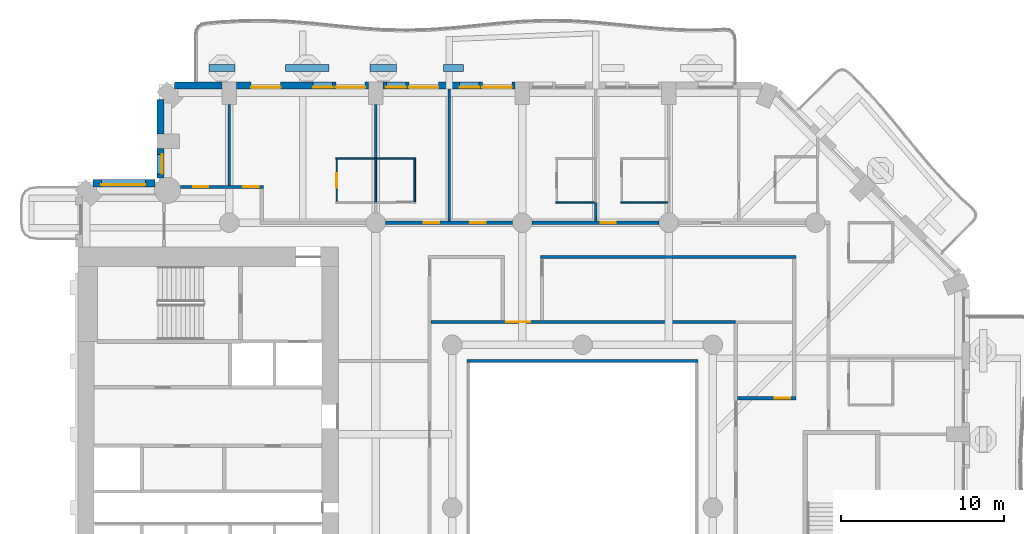
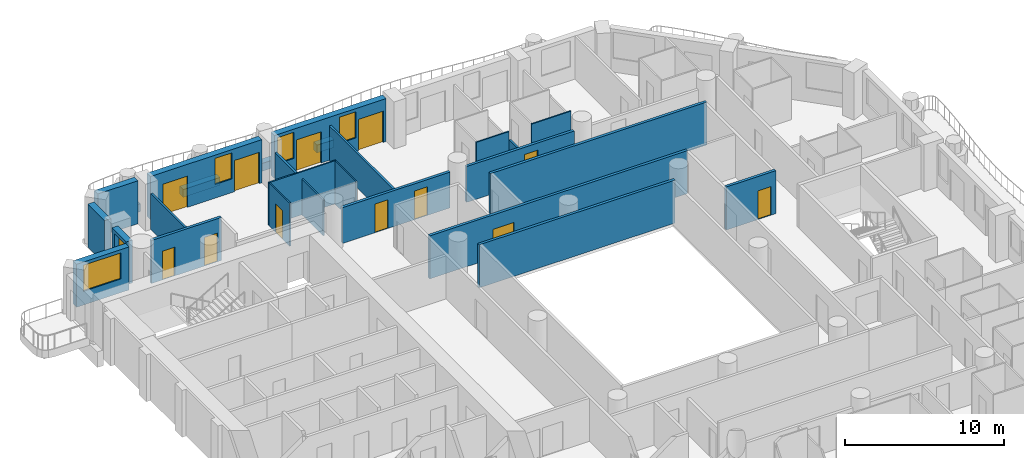
# One storey, part 8 of 20: 27 walls, 12 doors, 5 windows, 17 openings.
"""IFC4 building model written with IfcOpenShell, lengths in metres."""

from ifc_helpers import new_model, si_unit, direction, frame, frame_2d, origin, place, context, subcontext, project, spatial, rectangle, extrude, material, layer, layer_set, type_object, element, fill, save


model = new_model("IFC4")

# Units and contexts
model_context = context("Model", 3, precision=1e-05, world=origin(), true_north=direction((0.0, 1.0)))
body_context = subcontext(model_context, "Body", "Model", "MODEL_VIEW")
ifc_project = project(units=[si_unit("LENGTHUNIT", "METRE"), si_unit("AREAUNIT", "SQUARE_METRE"), si_unit("VOLUMEUNIT", "CUBIC_METRE"), si_unit("PLANEANGLEUNIT", "RADIAN"), si_unit("MASSUNIT", "GRAM", prefix="KILO")], contexts=[model_context])

# Site, building, storey
site_placement = place(None, origin())
site = spatial("IfcSite", under=ifc_project, at=site_placement, CompositionType="ELEMENT")
building_placement = place(site_placement, origin())
building = spatial("IfcBuilding", under=site, at=building_placement, Name="Cypress Arch Tower", CompositionType="ELEMENT")
storey_placement = place(building_placement, frame((0.0, 0.0, 62.699951171875)))
storey = spatial("IfcBuildingStorey", under=building, at=storey_placement, Name="L09", CompositionType="ELEMENT", Elevation=62.699951171875)

# Walls
ifc_material_1 = material(Name="Concrete C40/50, waterproofed", Category="concrete")
ifc_layer_1 = layer(ifc_material_1, 0.449951171875)
ifc_layer_set_1 = layer_set([ifc_layer_1], Name="Balcony planter wall PW450")
wall_type_1 = type_object("IfcWallType", Name="Balcony planter wall PW450", PredefinedType="SOLIDWALL", material=ifc_layer_set_1)
wall_1_placement = place(storey_placement, frame((-6.300048828125, 27.0, 0.0), z_axis=(0.0, 0.0, 1.0), x_axis=(-1.0, 0.0, 0.0)))
element("IfcWall", 1, at=wall_1_placement, inside=storey, type_object=wall_type_1, Name="Balcony planter wall L09-A08.3", PredefinedType="SOLIDWALL", context=body_context, shape_type="SweptSolid", body=[
    extrude(rectangle(XDim=1.25, YDim=0.449951171875, at=frame_2d((0.625, 0.0))), origin(), (0.0, 0.0, 1.0), 0.60009765625),
])
wall_2_placement = place(storey_placement, frame((-10.4375, 27.0, 0.0), z_axis=(0.0, 0.0, 1.0), x_axis=(-1.0, 0.0, 0.0)))
element("IfcWall", 2, at=wall_2_placement, inside=storey, type_object=wall_type_1, Name="Balcony planter wall L09-A08.4", PredefinedType="SOLIDWALL", context=body_context, shape_type="SweptSolid", body=[
    extrude(rectangle(XDim=1.612548828125, YDim=0.449951171875, at=frame_2d((0.80615234375, 0.0))), origin(), (0.0, 0.0, 1.0), 0.60009765625),
])
wall_3_placement = place(storey_placement, frame((-14.574951171875, 27.0, 0.0), z_axis=(0.0, 0.0, 1.0), x_axis=(-1.0, 0.0, 0.0)))
element("IfcWall", 3, at=wall_3_placement, inside=storey, type_object=wall_type_1, Name="Balcony planter wall L09-A08.5", PredefinedType="SOLIDWALL", context=body_context, shape_type="SweptSolid", body=[
    extrude(rectangle(XDim=2.675048828125, YDim=0.449951171875, at=frame_2d((1.33740234375, 0.0))), origin(), (0.0, 0.0, 1.0), 0.60009765625),
])
wall_4_placement = place(storey_placement, frame((-20.35009765625, 27.0, 0.0), z_axis=(0.0, 0.0, 1.0), x_axis=(-1.0, 0.0, 0.0)))
element("IfcWall", 4, at=wall_4_placement, inside=storey, type_object=wall_type_1, Name="Balcony planter wall L09-A08.6", PredefinedType="SOLIDWALL", context=body_context, shape_type="SweptSolid", body=[
    extrude(rectangle(XDim=1.599853515625, YDim=0.449951171875, at=frame_2d((0.7998046875, 0.0))), origin(), (0.0, 0.0, 1.0), 0.60009765625),
])

# Wall, openings, doors, windows
ifc_material_2 = material(Name="Brick (red buff blend)", Category="masonry")
ifc_layer_2 = layer(ifc_material_2, 0.449951171875)
ifc_layer_set_2 = layer_set([ifc_layer_2], Name="Brick pier and spandrel wall BW450")
wall_type_2 = type_object("IfcWallType", Name="Brick pier and spandrel wall BW450", PredefinedType="SOLIDWALL", material=ifc_layer_set_2)
wall_5_placement = place(storey_placement, frame((-3.14990234375, 25.925048828125, 0.0), z_axis=(0.0, 0.0, 1.0), x_axis=(-1.0, 0.0, 0.0)))
wall_5 = element("IfcWall", 5, at=wall_5_placement, inside=storey, type_object=wall_type_2, Name="Brick wall L09 A08.2", PredefinedType="SOLIDWALL", context=body_context, shape_type="SweptSolid", body=[
    extrude(rectangle(XDim=8.10009765625, YDim=0.449951171875, at=frame_2d((4.050048828125, 0.0))), origin(), (0.0, 0.0, 1.0), 3.300048828125),
])
opening_1_placement = place(wall_5_placement, frame((0.199951171875, 0.0, 0.0)))
opening_1 = element("IfcOpeningElement", 6, at=opening_1_placement, cuts=wall_5, Name="Opening D-L09-A08.2.1", PredefinedType="OPENING", context=body_context, shape_type="SweptSolid", body=[
    extrude(rectangle(XDim=1.800048828125, YDim=2.39990234375, at=frame_2d((0.89990234375, 1.199951171875))), frame((0.0, 0.23486328125, 0.0), z_axis=(0.0, -1.0, 0.0), x_axis=(1.0, 0.0, 0.0)), (0.0, 0.0, 1.0), 0.469970703125),
])
opening_2_placement = place(wall_5_placement, frame((2.199951171875, 0.0, 1.050048828125)))
opening_2 = element("IfcOpeningElement", 7, at=opening_2_placement, cuts=wall_5, Name="Opening W120HD", PredefinedType="OPENING", context=body_context, shape_type="SweptSolid", body=[
    extrude(rectangle(XDim=1.199951171875, YDim=2.0, at=frame_2d((0.60009765625, 1.0))), frame((0.0, 0.23486328125, 0.0), z_axis=(0.0, -1.0, 0.0), x_axis=(1.0, 0.0, 0.0)), (0.0, 0.0, 1.0), 0.469970703125),
])
opening_3_placement = place(wall_5_placement, frame((4.699951171875, 0.0, 0.0)))
opening_3 = element("IfcOpeningElement", 8, at=opening_3_placement, cuts=wall_5, Name="Opening D-L09-A08.2.2", PredefinedType="OPENING", context=body_context, shape_type="SweptSolid", body=[
    extrude(rectangle(XDim=1.800048828125, YDim=2.39990234375, at=frame_2d((0.89990234375, 1.199951171875))), frame((0.0, 0.23486328125, 0.0), z_axis=(0.0, -1.0, 0.0), x_axis=(1.0, 0.0, 0.0)), (0.0, 0.0, 1.0), 0.469970703125),
])
opening_4_placement = place(wall_5_placement, frame((6.699951171875, 0.0, 1.050048828125)))
opening_4 = element("IfcOpeningElement", 9, at=opening_4_placement, cuts=wall_5, Name="Opening W120HD", PredefinedType="OPENING", context=body_context, shape_type="SweptSolid", body=[
    extrude(rectangle(XDim=1.199951171875, YDim=2.0, at=frame_2d((0.60009765625, 1.0))), frame((0.0, 0.23486328125, 0.0), z_axis=(0.0, -1.0, 0.0), x_axis=(1.0, 0.0, 0.0)), (0.0, 0.0, 1.0), 0.469970703125),
])
ifc_material_3 = material(Name="Anodised aluminium, bronze finish, laminated low-emissivity double glazing, large-missile impact rated", Category="aluminium")
door_type_1 = type_object("IfcDoorType", Name="Balcony sliding door 1800x2400", OperationType="SLIDING_TO_LEFT", PredefinedType="DOOR", material=ifc_material_3)
door_1_placement = place(opening_1_placement, origin())
door_1 = element("IfcDoor", 10, at=door_1_placement, inside=storey, type_object=door_type_1, Name="Balcony door L09 A08.2.1", OperationType="SLIDING_TO_LEFT", OverallHeight=2.39990234375, OverallWidth=1.800048828125, PredefinedType="DOOR", context=body_context, shape_type="SweptSolid", body=[
    extrude(rectangle(XDim=1.800048828125, YDim=2.39990234375, at=frame_2d((0.89990234375, 1.199951171875))), frame((0.0, 0.1298828125, 0.0), z_axis=(0.0, -1.0, 0.0), x_axis=(1.0, 0.0, 0.0)), (0.0, 0.0, 1.0), 0.050048828125),
])
fill(opening_1, door_1)
door_2_placement = place(opening_3_placement, origin())
door_2 = element("IfcDoor", 11, at=door_2_placement, inside=storey, type_object=door_type_1, Name="Balcony door L09 A08.2.2", OperationType="SLIDING_TO_LEFT", OverallHeight=2.39990234375, OverallWidth=1.800048828125, PredefinedType="DOOR", context=body_context, shape_type="SweptSolid", body=[
    extrude(rectangle(XDim=1.800048828125, YDim=2.39990234375, at=frame_2d((0.89990234375, 1.199951171875))), frame((0.0, 0.1298828125, 0.0), z_axis=(0.0, -1.0, 0.0), x_axis=(1.0, 0.0, 0.0)), (0.0, 0.0, 1.0), 0.050048828125),
])
fill(opening_3, door_2)
ifc_material_4 = material(Name="Anodised aluminium, bronze finish, laminated low-emissivity double glazing, large-missile impact rated", Category="aluminium")
window_type_1 = type_object("IfcWindowType", Name="Window Hotel 1200x2000 debris-rated", PartitioningType="SINGLE_PANEL", PredefinedType="WINDOW", material=ifc_material_4)
window_1_placement = place(opening_2_placement, origin())
window_1 = element("IfcWindow", 12, at=window_1_placement, inside=storey, type_object=window_type_1, Name="Window L09 A08.2.1", OverallHeight=2.0, OverallWidth=1.199951171875, PartitioningType="SINGLE_PANEL", PredefinedType="WINDOW", context=body_context, shape_type="SweptSolid", body=[
    extrude(rectangle(XDim=1.199951171875, YDim=2.0, at=frame_2d((0.60009765625, 1.0))), frame((0.0, 0.135009765625, 0.0), z_axis=(0.0, -1.0, 0.0), x_axis=(1.0, 0.0, 0.0)), (0.0, 0.0, 1.0), 0.06005859375),
])
fill(opening_2, window_1)
window_2_placement = place(opening_4_placement, origin())
window_2 = element("IfcWindow", 13, at=window_2_placement, inside=storey, type_object=window_type_1, Name="Window L09 A08.2.2", OverallHeight=2.0, OverallWidth=1.199951171875, PartitioningType="SINGLE_PANEL", PredefinedType="WINDOW", context=body_context, shape_type="SweptSolid", body=[
    extrude(rectangle(XDim=1.199951171875, YDim=2.0, at=frame_2d((0.60009765625, 1.0))), frame((0.0, 0.135009765625, 0.0), z_axis=(0.0, -1.0, 0.0), x_axis=(1.0, 0.0, 0.0)), (0.0, 0.0, 1.0), 0.06005859375),
])
fill(opening_4, window_2)

# Wall, openings, doors, window
wall_6_placement = place(storey_placement, frame((-12.14990234375, 25.925048828125, 0.0), z_axis=(0.0, 0.0, 1.0), x_axis=(-1.0, 0.0, 0.0)))
wall_6 = element("IfcWall", 14, at=wall_6_placement, inside=storey, type_object=wall_type_2, Name="Brick wall L09 A08.3", PredefinedType="SOLIDWALL", context=body_context, shape_type="SweptSolid", body=[
    extrude(rectangle(XDim=8.10009765625, YDim=0.449951171875, at=frame_2d((4.050048828125, 0.0))), origin(), (0.0, 0.0, 1.0), 3.300048828125),
])
opening_5_placement = place(wall_6_placement, frame((0.199951171875, 0.0, 0.0)))
opening_5 = element("IfcOpeningElement", 15, at=opening_5_placement, cuts=wall_6, Name="Opening D-L09-A08.3.1", PredefinedType="OPENING", context=body_context, shape_type="SweptSolid", body=[
    extrude(rectangle(XDim=1.800048828125, YDim=2.39990234375, at=frame_2d((0.89990234375, 1.199951171875))), frame((0.0, 0.23486328125, 0.0), z_axis=(0.0, -1.0, 0.0), x_axis=(1.0, 0.0, 0.0)), (0.0, 0.0, 1.0), 0.469970703125),
])
opening_6_placement = place(wall_6_placement, frame((2.199951171875, 0.0, 1.050048828125)))
opening_6 = element("IfcOpeningElement", 16, at=opening_6_placement, cuts=wall_6, Name="Opening W120HD", PredefinedType="OPENING", context=body_context, shape_type="SweptSolid", body=[
    extrude(rectangle(XDim=1.199951171875, YDim=2.0, at=frame_2d((0.60009765625, 1.0))), frame((0.0, 0.23486328125, 0.0), z_axis=(0.0, -1.0, 0.0), x_axis=(1.0, 0.0, 0.0)), (0.0, 0.0, 1.0), 0.469970703125),
])
opening_7_placement = place(wall_6_placement, frame((5.39990234375, 0.0, 0.0)))
opening_7 = element("IfcOpeningElement", 17, at=opening_7_placement, cuts=wall_6, Name="Opening D-L09-A08.3.2", PredefinedType="OPENING", context=body_context, shape_type="SweptSolid", body=[
    extrude(rectangle(XDim=1.800048828125, YDim=2.39990234375, at=frame_2d((0.89990234375, 1.199951171875))), frame((0.0, 0.23486328125, 0.0), z_axis=(0.0, -1.0, 0.0), x_axis=(1.0, 0.0, 0.0)), (0.0, 0.0, 1.0), 0.469970703125),
])
door_3_placement = place(opening_5_placement, origin())
door_3 = element("IfcDoor", 18, at=door_3_placement, inside=storey, type_object=door_type_1, Name="Balcony door L09 A08.3.1", OperationType="SLIDING_TO_LEFT", OverallHeight=2.39990234375, OverallWidth=1.800048828125, PredefinedType="DOOR", context=body_context, shape_type="SweptSolid", body=[
    extrude(rectangle(XDim=1.800048828125, YDim=2.39990234375, at=frame_2d((0.89990234375, 1.199951171875))), frame((0.0, 0.1298828125, 0.0), z_axis=(0.0, -1.0, 0.0), x_axis=(1.0, 0.0, 0.0)), (0.0, 0.0, 1.0), 0.050048828125),
])
fill(opening_5, door_3)
door_4_placement = place(opening_7_placement, origin())
door_4 = element("IfcDoor", 19, at=door_4_placement, inside=storey, type_object=door_type_1, Name="Balcony door L09 A08.3.2", OperationType="SLIDING_TO_LEFT", OverallHeight=2.39990234375, OverallWidth=1.800048828125, PredefinedType="DOOR", context=body_context, shape_type="SweptSolid", body=[
    extrude(rectangle(XDim=1.800048828125, YDim=2.39990234375, at=frame_2d((0.89990234375, 1.199951171875))), frame((0.0, 0.1298828125, 0.0), z_axis=(0.0, -1.0, 0.0), x_axis=(1.0, 0.0, 0.0)), (0.0, 0.0, 1.0), 0.050048828125),
])
fill(opening_7, door_4)
window_3_placement = place(opening_6_placement, origin())
window_3 = element("IfcWindow", 20, at=window_3_placement, inside=storey, type_object=window_type_1, Name="Window L09 A08.3.1", OverallHeight=2.0, OverallWidth=1.199951171875, PartitioningType="SINGLE_PANEL", PredefinedType="WINDOW", context=body_context, shape_type="SweptSolid", body=[
    extrude(rectangle(XDim=1.199951171875, YDim=2.0, at=frame_2d((0.60009765625, 1.0))), frame((0.0, 0.135009765625, 0.0), z_axis=(0.0, -1.0, 0.0), x_axis=(1.0, 0.0, 0.0)), (0.0, 0.0, 1.0), 0.06005859375),
])
fill(opening_6, window_3)

# Walls
wall_7_placement = place(storey_placement, frame((-21.14990234375, 25.925048828125, 0.0), z_axis=(0.0, 0.0, 1.0), x_axis=(-1.0, 0.0, 0.0)))
element("IfcWall", 21, at=wall_7_placement, inside=storey, type_object=wall_type_2, Name="Brick wall L09 A08.4", PredefinedType="SOLIDWALL", context=body_context, shape_type="SweptSolid", body=[
    extrude(rectangle(XDim=2.913818359375, YDim=0.449951171875, at=frame_2d((1.45703125, 0.0))), origin(), (0.0, 0.0, 1.0), 3.300048828125),
])
wall_8_placement = place(storey_placement, frame((-24.925048828125, 25.063720703125, 0.0), z_axis=(0.0, 0.0, 1.0), x_axis=(0.0, -1.0, 0.0)))
element("IfcWall", 22, at=wall_8_placement, inside=storey, type_object=wall_type_2, Name="Brick wall L09 A09.0", PredefinedType="SOLIDWALL", context=body_context, shape_type="SweptSolid", body=[
    extrude(rectangle(XDim=2.11376953125, YDim=0.449951171875, at=frame_2d((1.056884765625, 0.0))), origin(), (0.0, 0.0, 1.0), 3.300048828125),
])

# Wall, opening, window
wall_9_placement = place(storey_placement, frame((-24.925048828125, 22.050048828125, 0.0), z_axis=(0.0, 0.0, 1.0), x_axis=(0.0, -1.0, 0.0)))
wall_9 = element("IfcWall", 23, at=wall_9_placement, inside=storey, type_object=wall_type_2, Name="Brick wall L09 A09.1", PredefinedType="SOLIDWALL", context=body_context, shape_type="SweptSolid", body=[
    extrude(rectangle(XDim=1.79150390625, YDim=0.449951171875, at=frame_2d((0.895751953125, 0.0))), origin(), (0.0, 0.0, 1.0), 3.300048828125),
])
opening_8_placement = place(wall_9_placement, frame((0.35009765625, 0.0, 1.050048828125)))
opening_8 = element("IfcOpeningElement", 24, at=opening_8_placement, cuts=wall_9, Name="Opening W120H", PredefinedType="OPENING", context=body_context, shape_type="SweptSolid", body=[
    extrude(rectangle(XDim=1.199951171875, YDim=2.0, at=frame_2d((0.60009765625, 1.0))), frame((0.0, 0.23486328125, 0.0), z_axis=(0.0, -1.0, 0.0), x_axis=(1.0, 0.0, 0.0)), (0.0, 0.0, 1.0), 0.469970703125),
])
ifc_material_5 = material(Name="Anodised aluminium, bronze finish, clear low-emissivity double glazing", Category="aluminium")
window_type_2 = type_object("IfcWindowType", Name="Window Hotel 1200x2000", PartitioningType="SINGLE_PANEL", PredefinedType="WINDOW", material=ifc_material_5)
window_4_placement = place(opening_8_placement, origin())
window_4 = element("IfcWindow", 25, at=window_4_placement, inside=storey, type_object=window_type_2, Name="Window L09 A09.1.1", OverallHeight=2.0, OverallWidth=1.199951171875, PartitioningType="SINGLE_PANEL", PredefinedType="WINDOW", context=body_context, shape_type="SweptSolid", body=[
    extrude(rectangle(XDim=1.199951171875, YDim=2.0, at=frame_2d((0.60009765625, 1.0))), frame((0.0, 0.135009765625, 0.0), z_axis=(0.0, -1.0, 0.0), x_axis=(1.0, 0.0, 0.0)), (0.0, 0.0, 1.0), 0.06005859375),
])
fill(opening_8, window_4)

wall_10_placement = place(storey_placement, frame((-25.258544921875, 19.925048828125, 0.0), z_axis=(0.0, 0.0, 1.0), x_axis=(-1.0, 0.0, 0.0)))
wall_10 = element("IfcWall", 26, at=wall_10_placement, inside=storey, type_object=wall_type_2, Name="Brick wall L09 A10.0", PredefinedType="SOLIDWALL", context=body_context, shape_type="SweptSolid", body=[
    extrude(rectangle(XDim=3.80517578125, YDim=0.449951171875, at=frame_2d((1.902587890625, 0.0))), origin(), (0.0, 0.0, 1.0), 3.300048828125),
])
opening_9_placement = place(wall_10_placement, frame((0.591552734375, 0.0, 1.050048828125)))
opening_9 = element("IfcOpeningElement", 27, at=opening_9_placement, cuts=wall_10, Name="Opening W270H", PredefinedType="OPENING", context=body_context, shape_type="SweptSolid", body=[
    extrude(rectangle(XDim=2.699951171875, YDim=2.0, at=frame_2d((1.35009765625, 1.0))), frame((0.0, 0.23486328125, 0.0), z_axis=(0.0, -1.0, 0.0), x_axis=(1.0, 0.0, 0.0)), (0.0, 0.0, 1.0), 0.469970703125),
])
ifc_material_6 = material(Name="Anodised aluminium, bronze finish, clear low-emissivity double glazing", Category="aluminium")
window_type_3 = type_object("IfcWindowType", Name="Window Hotel 2700x2000", PartitioningType="SINGLE_PANEL", PredefinedType="WINDOW", material=ifc_material_6)
window_5_placement = place(opening_9_placement, origin())
window_5 = element("IfcWindow", 28, at=window_5_placement, inside=storey, type_object=window_type_3, Name="Window L09 A10.0.1", OverallHeight=2.0, OverallWidth=2.699951171875, PartitioningType="SINGLE_PANEL", PredefinedType="WINDOW", context=body_context, shape_type="SweptSolid", body=[
    extrude(rectangle(XDim=2.699951171875, YDim=2.0, at=frame_2d((1.35009765625, 1.0))), frame((0.0, 0.135009765625, 0.0), z_axis=(0.0, -1.0, 0.0), x_axis=(1.0, 0.0, 0.0)), (0.0, 0.0, 1.0), 0.06005859375),
])
fill(opening_9, window_5)

# Wall, openings, doors
ifc_material_7 = material(Name="Concrete blockwork, plastered, rated", Category="masonry")
ifc_layer_3 = layer(ifc_material_7, 0.199951171875)
ifc_layer_set_3 = layer_set([ifc_layer_3], Name="Corridor wall FW200")
wall_type_3 = type_object("IfcWallType", Name="Corridor wall FW200", PredefinedType="PARTITIONING", material=ifc_layer_set_3)
wall_11_placement = place(storey_placement, frame((-23.7001953125, 19.699951171875, 0.0), z_axis=(0.0, 0.0, 1.0), x_axis=(1.0, 0.0, 0.0)))
wall_11 = element("IfcWall", 29, at=wall_11_placement, inside=storey, type_object=wall_type_3, Name="Corridor wall", PredefinedType="PARTITIONING", context=body_context, shape_type="SweptSolid", body=[
    extrude(rectangle(XDim=5.10009765625, YDim=0.199951171875, at=frame_2d((2.550048828125, 0.0))), origin(), (0.0, 0.0, 1.0), 3.300048828125),
])
opening_10_placement = place(wall_11_placement, frame((0.800048828125, 0.0, 0.0)))
opening_10 = element("IfcOpeningElement", 30, at=opening_10_placement, cuts=wall_11, Name="Opening D05", PredefinedType="OPENING", context=body_context, shape_type="SweptSolid", body=[
    extrude(rectangle(XDim=0.89990234375, YDim=2.199951171875, at=frame_2d((0.449951171875, 1.10009765625))), frame((0.0, 0.10986328125, 0.0), z_axis=(0.0, -1.0, 0.0), x_axis=(1.0, 0.0, 0.0)), (0.0, 0.0, 1.0), 0.219970703125),
])
opening_11_placement = place(wall_11_placement, frame((3.85009765625, 0.0, 0.0)))
opening_11 = element("IfcOpeningElement", 31, at=opening_11_placement, cuts=wall_11, Name="Opening D02", PredefinedType="OPENING", context=body_context, shape_type="SweptSolid", body=[
    extrude(rectangle(XDim=0.949951171875, YDim=2.199951171875, at=frame_2d((0.47509765625, 1.10009765625))), frame((0.0, 0.10986328125, 0.0), z_axis=(0.0, -1.0, 0.0), x_axis=(1.0, 0.0, 0.0)), (0.0, 0.0, 1.0), 0.219970703125),
])
ifc_material_8 = material(Name="Timber flush door, fire resisting", Category="wood")
door_type_2 = type_object("IfcDoorType", Name="Room door D02 950x2200", OperationType="SINGLE_SWING_LEFT", PredefinedType="DOOR", material=ifc_material_8)
door_5_placement = place(opening_11_placement, origin())
door_5 = element("IfcDoor", 32, at=door_5_placement, inside=storey, type_object=door_type_2, Name="Room door", OperationType="SINGLE_SWING_LEFT", OverallHeight=2.199951171875, OverallWidth=0.949951171875, PredefinedType="DOOR", context=body_context, shape_type="SweptSolid", body=[
    extrude(rectangle(XDim=0.949951171875, YDim=2.199951171875, at=frame_2d((0.47509765625, 1.10009765625))), frame((0.0, 0.02490234375, 0.0), z_axis=(0.0, -1.0, 0.0), x_axis=(1.0, 0.0, 0.0)), (0.0, 0.0, 1.0), 0.050048828125),
])
fill(opening_11, door_5)
ifc_material_9 = material(Name="Timber flush door", Category="wood")
door_type_3 = type_object("IfcDoorType", Name="Service door D05 900x2200", OperationType="SINGLE_SWING_LEFT", PredefinedType="DOOR", material=ifc_material_9)
door_6_placement = place(opening_10_placement, origin())
door_6 = element("IfcDoor", 33, at=door_6_placement, inside=storey, type_object=door_type_3, Name="Service door", OperationType="SINGLE_SWING_LEFT", OverallHeight=2.199951171875, OverallWidth=0.89990234375, PredefinedType="DOOR", context=body_context, shape_type="SweptSolid", body=[
    extrude(rectangle(XDim=0.89990234375, YDim=2.199951171875, at=frame_2d((0.449951171875, 1.10009765625))), frame((0.0, 0.02490234375, 0.0), z_axis=(0.0, -1.0, 0.0), x_axis=(1.0, 0.0, 0.0)), (0.0, 0.0, 1.0), 0.050048828125),
])
fill(opening_10, door_6)

wall_12_placement = place(storey_placement, frame((-11.10009765625, 17.5, 0.0), z_axis=(0.0, 0.0, 1.0), x_axis=(1.0, 0.0, 0.0)))
wall_12 = element("IfcWall", 34, at=wall_12_placement, inside=storey, type_object=wall_type_3, Name="Corridor wall", PredefinedType="PARTITIONING", context=body_context, shape_type="SweptSolid", body=[
    extrude(rectangle(XDim=7.800048828125, YDim=0.199951171875, at=frame_2d((3.89990234375, 0.0))), origin(), (0.0, 0.0, 1.0), 2.75),
])
opening_12_placement = place(wall_12_placement, frame((2.35009765625, 0.0, 0.0)))
opening_12 = element("IfcOpeningElement", 35, at=opening_12_placement, cuts=wall_12, Name="Opening D02", PredefinedType="OPENING", context=body_context, shape_type="SweptSolid", body=[
    extrude(rectangle(XDim=0.949951171875, YDim=2.199951171875, at=frame_2d((0.47509765625, 1.10009765625))), frame((0.0, 0.10986328125, 0.0), z_axis=(0.0, -1.0, 0.0), x_axis=(1.0, 0.0, 0.0)), (0.0, 0.0, 1.0), 0.219970703125),
])
opening_13_placement = place(wall_12_placement, frame((5.199951171875, 0.0, 0.0)))
opening_13 = element("IfcOpeningElement", 36, at=opening_13_placement, cuts=wall_12, Name="Opening D02", PredefinedType="OPENING", context=body_context, shape_type="SweptSolid", body=[
    extrude(rectangle(XDim=0.949951171875, YDim=2.199951171875, at=frame_2d((0.47509765625, 1.10009765625))), frame((0.0, 0.10986328125, 0.0), z_axis=(0.0, -1.0, 0.0), x_axis=(1.0, 0.0, 0.0)), (0.0, 0.0, 1.0), 0.219970703125),
])
door_7_placement = place(opening_12_placement, origin())
door_7 = element("IfcDoor", 37, at=door_7_placement, inside=storey, type_object=door_type_2, Name="Room door", OperationType="SINGLE_SWING_RIGHT", OverallHeight=2.199951171875, OverallWidth=0.949951171875, PredefinedType="DOOR", context=body_context, shape_type="SweptSolid", body=[
    extrude(rectangle(XDim=0.949951171875, YDim=2.199951171875, at=frame_2d((0.47509765625, 1.10009765625))), frame((0.0, 0.02490234375, 0.0), z_axis=(0.0, -1.0, 0.0), x_axis=(1.0, 0.0, 0.0)), (0.0, 0.0, 1.0), 0.050048828125),
])
fill(opening_12, door_7)
door_8_placement = place(opening_13_placement, origin())
door_8 = element("IfcDoor", 38, at=door_8_placement, inside=storey, type_object=door_type_2, Name="Room door", OperationType="SINGLE_SWING_LEFT", OverallHeight=2.199951171875, OverallWidth=0.949951171875, PredefinedType="DOOR", context=body_context, shape_type="SweptSolid", body=[
    extrude(rectangle(XDim=0.949951171875, YDim=2.199951171875, at=frame_2d((0.47509765625, 1.10009765625))), frame((0.0, 0.02490234375, 0.0), z_axis=(0.0, -1.0, 0.0), x_axis=(1.0, 0.0, 0.0)), (0.0, 0.0, 1.0), 0.050048828125),
])
fill(opening_13, door_8)

# Wall, opening, door
wall_13_placement = place(storey_placement, frame((-2.10009765625, 17.5, 0.0), z_axis=(0.0, 0.0, 1.0), x_axis=(1.0, 0.0, 0.0)))
wall_13 = element("IfcWall", 39, at=wall_13_placement, inside=storey, type_object=wall_type_3, Name="Corridor wall", PredefinedType="PARTITIONING", context=body_context, shape_type="SweptSolid", body=[
    extrude(rectangle(XDim=7.800048828125, YDim=0.199951171875, at=frame_2d((3.89990234375, 0.0))), origin(), (0.0, 0.0, 1.0), 2.75),
])
opening_14_placement = place(wall_13_placement, frame((4.199951171875, 0.0, 0.0)))
opening_14 = element("IfcOpeningElement", 40, at=opening_14_placement, cuts=wall_13, Name="Opening D02", PredefinedType="OPENING", context=body_context, shape_type="SweptSolid", body=[
    extrude(rectangle(XDim=0.949951171875, YDim=2.199951171875, at=frame_2d((0.47509765625, 1.10009765625))), frame((0.0, 0.10986328125, 0.0), z_axis=(0.0, -1.0, 0.0), x_axis=(1.0, 0.0, 0.0)), (0.0, 0.0, 1.0), 0.219970703125),
])
door_9_placement = place(opening_14_placement, origin())
door_9 = element("IfcDoor", 41, at=door_9_placement, inside=storey, type_object=door_type_2, Name="Room door", OperationType="SINGLE_SWING_LEFT", OverallHeight=2.199951171875, OverallWidth=0.949951171875, PredefinedType="DOOR", context=body_context, shape_type="SweptSolid", body=[
    extrude(rectangle(XDim=0.949951171875, YDim=2.199951171875, at=frame_2d((0.47509765625, 1.10009765625))), frame((0.0, 0.02490234375, 0.0), z_axis=(0.0, -1.0, 0.0), x_axis=(1.0, 0.0, 0.0)), (0.0, 0.0, 1.0), 0.050048828125),
])
fill(opening_14, door_9)

wall_14_placement = place(storey_placement, frame((-8.300048828125, 11.39990234375, 0.0), z_axis=(0.0, 0.0, 1.0), x_axis=(1.0, 0.0, 0.0)))
wall_14 = element("IfcWall", 42, at=wall_14_placement, inside=storey, type_object=wall_type_3, Name="Corridor wall", PredefinedType="PARTITIONING", context=body_context, shape_type="SweptSolid", body=[
    extrude(rectangle(XDim=18.699951171875, YDim=0.199951171875, at=frame_2d((9.35009765625, 0.0))), origin(), (0.0, 0.0, 1.0), 3.300048828125),
])
opening_15_placement = place(wall_14_placement, frame((4.60009765625, 0.0, 0.0)))
opening_15 = element("IfcOpeningElement", 43, at=opening_15_placement, cuts=wall_14, Name="Opening D04", PredefinedType="OPENING", context=body_context, shape_type="SweptSolid", body=[
    extrude(rectangle(XDim=1.5, YDim=2.199951171875, at=frame_2d((0.75, 1.10009765625))), frame((0.0, 0.10986328125, 0.0), z_axis=(0.0, -1.0, 0.0), x_axis=(1.0, 0.0, 0.0)), (0.0, 0.0, 1.0), 0.219970703125),
])
ifc_material_10 = material(Name="Timber double door", Category="wood")
door_type_4 = type_object("IfcDoorType", Name="Double door D04 1500x2200", OperationType="DOUBLE_DOOR_SINGLE_SWING", PredefinedType="DOOR", material=ifc_material_10)
door_10_placement = place(opening_15_placement, origin())
door_10 = element("IfcDoor", 44, at=door_10_placement, inside=storey, type_object=door_type_4, Name="Double door", OperationType="DOUBLE_DOOR_SINGLE_SWING", OverallHeight=2.199951171875, OverallWidth=1.5, PredefinedType="DOOR", context=body_context, shape_type="SweptSolid", body=[
    extrude(rectangle(XDim=1.5, YDim=2.199951171875, at=frame_2d((0.75, 1.10009765625))), frame((0.0, 0.02490234375, 0.0), z_axis=(0.0, -1.0, 0.0), x_axis=(1.0, 0.0, 0.0)), (0.0, 0.0, 1.0), 0.050048828125),
])
fill(opening_15, door_10)

# Walls
wall_15_placement = place(storey_placement, frame((-6.10009765625, 9.0, 0.0), z_axis=(0.0, 0.0, 1.0), x_axis=(1.0, 0.0, 0.0)))
element("IfcWall", 45, at=wall_15_placement, inside=storey, type_object=wall_type_3, Name="Corridor wall", PredefinedType="PARTITIONING", context=body_context, shape_type="SweptSolid", body=[
    extrude(rectangle(XDim=14.2001953125, YDim=0.199951171875, at=frame_2d((7.10009765625, 0.0))), origin(), (0.0, 0.0, 1.0), 3.300048828125),
])
wall_16_placement = place(storey_placement, frame((-1.60009765625, 15.39990234375, 0.0), z_axis=(0.0, 0.0, 1.0), x_axis=(1.0, 0.0, 0.0)))
element("IfcWall", 46, at=wall_16_placement, inside=storey, type_object=wall_type_3, Name="Corridor wall", PredefinedType="PARTITIONING", context=body_context, shape_type="SweptSolid", body=[
    extrude(rectangle(XDim=15.7001953125, YDim=0.199951171875, at=frame_2d((7.85009765625, 0.0))), origin(), (0.0, 0.0, 1.0), 3.300048828125),
])

# Wall, opening, door
wall_17_placement = place(storey_placement, frame((10.5, 6.72509765625, 0.0), z_axis=(0.0, 0.0, 1.0), x_axis=(1.0, 0.0, 0.0)))
wall_17 = element("IfcWall", 47, at=wall_17_placement, inside=storey, type_object=wall_type_3, Name="Corridor wall", PredefinedType="PARTITIONING", context=body_context, shape_type="SweptSolid", body=[
    extrude(rectangle(XDim=3.60009765625, YDim=0.199951171875, at=frame_2d((1.800048828125, 0.0))), origin(), (0.0, 0.0, 1.0), 3.300048828125),
])
opening_16_placement = place(wall_17_placement, frame((2.300048828125, 0.0, 0.0)))
opening_16 = element("IfcOpeningElement", 48, at=opening_16_placement, cuts=wall_17, Name="Opening D02", PredefinedType="OPENING", context=body_context, shape_type="SweptSolid", body=[
    extrude(rectangle(XDim=0.949951171875, YDim=2.199951171875, at=frame_2d((0.47509765625, 1.10009765625))), frame((0.0, 0.10986328125, 0.0), z_axis=(0.0, -1.0, 0.0), x_axis=(1.0, 0.0, 0.0)), (0.0, 0.0, 1.0), 0.219970703125),
])
door_11_placement = place(opening_16_placement, origin())
door_11 = element("IfcDoor", 49, at=door_11_placement, inside=storey, type_object=door_type_2, Name="Room door", OperationType="SINGLE_SWING_RIGHT", OverallHeight=2.199951171875, OverallWidth=0.949951171875, PredefinedType="DOOR", context=body_context, shape_type="SweptSolid", body=[
    extrude(rectangle(XDim=0.949951171875, YDim=2.199951171875, at=frame_2d((0.47509765625, 1.10009765625))), frame((0.0, 0.02490234375, 0.0), z_axis=(0.0, -1.0, 0.0), x_axis=(1.0, 0.0, 0.0)), (0.0, 0.0, 1.0), 0.050048828125),
])
fill(opening_16, door_11)

# Walls
ifc_material_11 = material(Name="Blockwork, plastered both sides", Category="masonry")
ifc_layer_4 = layer(ifc_material_11, 0.14990234375)
ifc_layer_set_4 = layer_set([ifc_layer_4], Name="Partition PW150")
wall_type_4 = type_object("IfcWallType", Name="Partition PW150", PredefinedType="PARTITIONING", material=ifc_layer_set_4)
wall_18_placement = place(storey_placement, frame((-20.699951171875, 19.800048828125, 0.0), z_axis=(0.0, 0.0, 1.0), x_axis=(0.0, 1.0, 0.0)))
element("IfcWall", 50, at=wall_18_placement, inside=storey, type_object=wall_type_4, Name="Partition", PredefinedType="PARTITIONING", context=body_context, shape_type="SweptSolid", body=[
    extrude(rectangle(XDim=4.949951171875, YDim=0.14990234375, at=frame_2d((2.47509765625, 0.0))), origin(), (0.0, 0.0, 1.0), 2.75),
])
wall_19_placement = place(storey_placement, frame((-11.699951171875, 21.449951171875, 0.0), z_axis=(0.0, 0.0, 1.0), x_axis=(0.0, 1.0, 0.0)))
element("IfcWall", 51, at=wall_19_placement, inside=storey, type_object=wall_type_4, Name="Partition", PredefinedType="PARTITIONING", context=body_context, shape_type="SweptSolid", body=[
    extrude(rectangle(XDim=3.300048828125, YDim=0.14990234375, at=frame_2d((1.64990234375, 0.0))), origin(), (0.0, 0.0, 1.0), 2.75),
])
wall_20_placement = place(storey_placement, frame((-7.199951171875, 17.60009765625, 0.0), z_axis=(0.0, 0.0, 1.0), x_axis=(0.0, 1.0, 0.0)))
element("IfcWall", 52, at=wall_20_placement, inside=storey, type_object=wall_type_4, Name="Partition", PredefinedType="PARTITIONING", context=body_context, shape_type="SweptSolid", body=[
    extrude(rectangle(XDim=8.099853515625, YDim=0.14990234375, at=frame_2d((4.0498046875, 0.0))), origin(), (0.0, 0.0, 1.0), 2.650146484375),
])
wall_21_placement = place(storey_placement, frame((1.800048828125, 17.60009765625, 0.0), z_axis=(0.0, 0.0, 1.0), x_axis=(0.0, 1.0, 0.0)))
element("IfcWall", 53, at=wall_21_placement, inside=storey, type_object=wall_type_4, Name="Partition", PredefinedType="PARTITIONING", context=body_context, shape_type="SweptSolid", body=[
    extrude(rectangle(XDim=1.1298828125, YDim=0.14990234375, at=frame_2d((0.56494140625, 0.0))), origin(), (0.0, 0.0, 1.0), 2.650146484375),
])

# Wall, opening, door
ifc_material_12 = material(Name="Moisture resistant board on steel studs, tiled", Category="steel")
ifc_layer_5 = layer(ifc_material_12, 0.10009765625)
ifc_layer_set_5 = layer_set([ifc_layer_5], Name="Wet wall PW100")
wall_type_5 = type_object("IfcWallType", Name="Wet wall PW100", PredefinedType="PARTITIONING", material=ifc_layer_set_5)
wall_22_placement = place(storey_placement, frame((-14.095947265625, 18.800048828125, 0.0), z_axis=(0.0, 0.0, 1.0), x_axis=(0.0, 1.0, 0.0)))
wall_22 = element("IfcWall", 54, at=wall_22_placement, inside=storey, type_object=wall_type_5, Name="Wet wall", PredefinedType="PARTITIONING", context=body_context, shape_type="SweptSolid", body=[
    extrude(rectangle(XDim=2.599853515625, YDim=0.10009765625, at=frame_2d((1.2998046875, 0.0))), origin(), (0.0, 0.0, 1.0), 3.300048828125),
])
opening_17_placement = place(wall_22_placement, frame((0.85009765625, 0.0, 0.0)))
opening_17 = element("IfcOpeningElement", 55, at=opening_17_placement, cuts=wall_22, Name="Opening D03", PredefinedType="OPENING", context=body_context, shape_type="SweptSolid", body=[
    extrude(rectangle(XDim=0.89990234375, YDim=2.199951171875, at=frame_2d((0.449951171875, 1.10009765625))), frame((0.0, 0.06005859375, 0.0), z_axis=(0.0, -1.0, 0.0), x_axis=(1.0, 0.0, 0.0)), (0.0, 0.0, 1.0), 0.1201171875),
])
ifc_material_13 = material(Name="Timber flush door, moisture resistant", Category="wood")
door_type_5 = type_object("IfcDoorType", Name="Bathroom door D03 900x2200", OperationType="SINGLE_SWING_LEFT", PredefinedType="DOOR", material=ifc_material_13)
door_12_placement = place(opening_17_placement, origin())
door_12 = element("IfcDoor", 56, at=door_12_placement, inside=storey, type_object=door_type_5, Name="Bathroom door", OperationType="SINGLE_SWING_RIGHT", OverallHeight=2.199951171875, OverallWidth=0.89990234375, PredefinedType="DOOR", context=body_context, shape_type="SweptSolid", body=[
    extrude(rectangle(XDim=0.89990234375, YDim=2.199951171875, at=frame_2d((0.449951171875, 1.10009765625))), frame((0.0, 0.02490234375, 0.0), z_axis=(0.0, -1.0, 0.0), x_axis=(1.0, 0.0, 0.0)), (0.0, 0.0, 1.0), 0.050048828125),
])
fill(opening_17, door_12)

# Walls
wall_23_placement = place(storey_placement, frame((-14.14599609375, 21.449951171875, 0.0), z_axis=(0.0, 0.0, 1.0), x_axis=(1.0, 0.0, 0.0)))
element("IfcWall", 57, at=wall_23_placement, inside=storey, type_object=wall_type_5, Name="Wet wall", PredefinedType="PARTITIONING", context=body_context, shape_type="SweptSolid", body=[
    extrude(rectangle(XDim=4.89208984375, YDim=0.10009765625, at=frame_2d((2.446044921875, 0.0))), origin(), (0.0, 0.0, 1.0), 3.300048828125),
])
wall_24_placement = place(storey_placement, frame((-11.699951171875, 18.72998046875, 0.0), z_axis=(0.0, 0.0, 1.0), x_axis=(0.0, 1.0, 0.0)))
element("IfcWall", 58, at=wall_24_placement, inside=storey, type_object=wall_type_5, Name="Wet wall", PredefinedType="PARTITIONING", context=body_context, shape_type="SweptSolid", body=[
    extrude(rectangle(XDim=2.719970703125, YDim=0.10009765625, at=frame_2d((1.35986328125, 0.0))), origin(), (0.0, 0.0, 1.0), 2.75),
])
wall_25_placement = place(storey_placement, frame((-9.303955078125, 18.800048828125, 0.0), z_axis=(0.0, 0.0, 1.0), x_axis=(0.0, 1.0, 0.0)))
element("IfcWall", 59, at=wall_25_placement, inside=storey, type_object=wall_type_5, Name="Wet wall", PredefinedType="PARTITIONING", context=body_context, shape_type="SweptSolid", body=[
    extrude(rectangle(XDim=2.599853515625, YDim=0.10009765625, at=frame_2d((1.2998046875, 0.0))), origin(), (0.0, 0.0, 1.0), 3.300048828125),
])
wall_26_placement = place(storey_placement, frame((-0.64599609375, 18.75, 0.0), z_axis=(0.0, 0.0, 1.0), x_axis=(1.0, 0.0, 0.0)))
element("IfcWall", 60, at=wall_26_placement, inside=storey, type_object=wall_type_5, Name="Wet wall", PredefinedType="PARTITIONING", context=body_context, shape_type="SweptSolid", body=[
    extrude(rectangle(XDim=2.37109375, YDim=0.10009765625, at=frame_2d((1.185546875, 0.0))), origin(), (0.0, 0.0, 1.0), 3.300048828125),
])
wall_27_placement = place(storey_placement, frame((3.35400390625, 18.75, 0.0), z_axis=(0.0, 0.0, 1.0), x_axis=(1.0, 0.0, 0.0)))
element("IfcWall", 61, at=wall_27_placement, inside=storey, type_object=wall_type_5, Name="Wet wall", PredefinedType="PARTITIONING", context=body_context, shape_type="SweptSolid", body=[
    extrude(rectangle(XDim=2.87109375, YDim=0.10009765625, at=frame_2d((1.435546875, 0.0))), origin(), (0.0, 0.0, 1.0), 3.300048828125),
])

save(model, "model.ifc")
